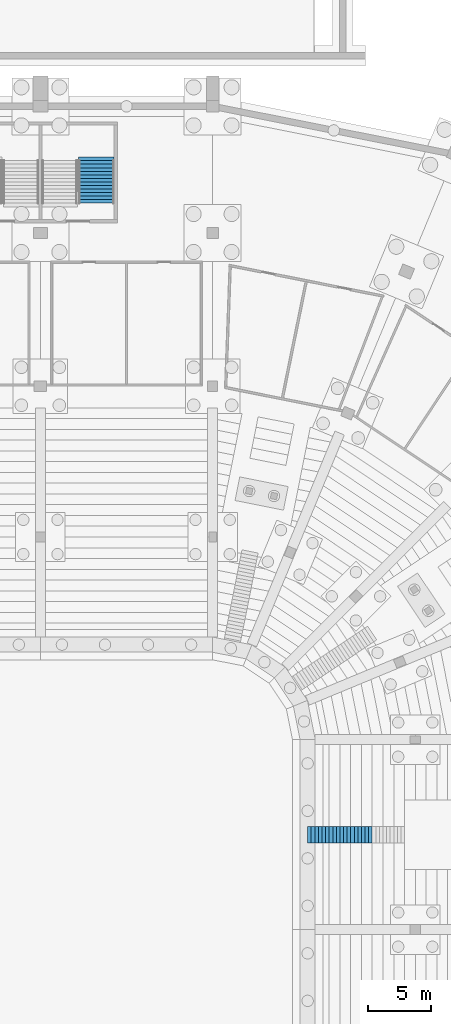
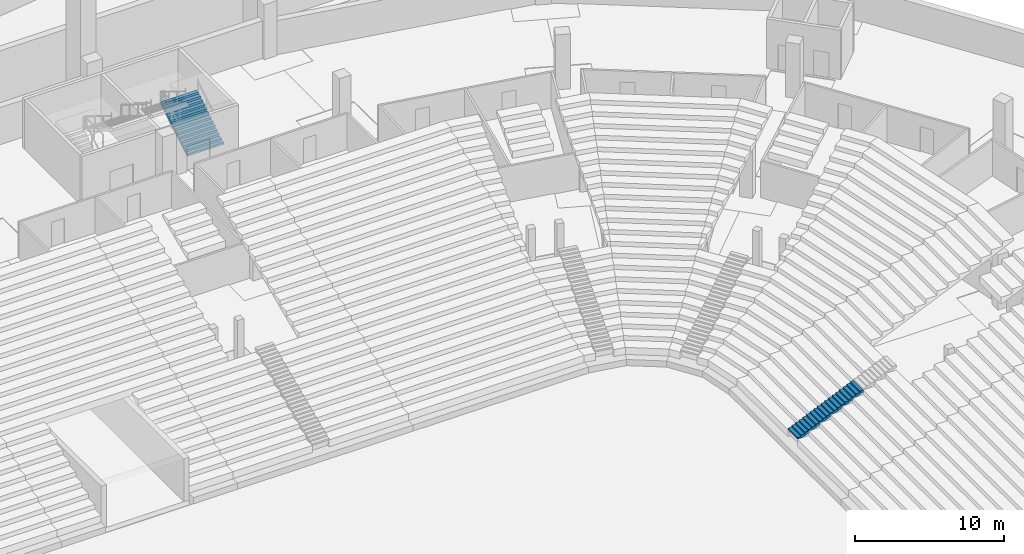
# One storey, part 105 of 115: 2 stair flights, 2 elements without a shape of their own.
"""IFC4 building model written with IfcOpenShell, lengths in metres."""

from ifc_helpers import new_model, si_unit, direction, frame, origin, place, context, subcontext, project, spatial, faceted_brep, material, type_object, element, aggregate, save


model = new_model("IFC4")

# Units and contexts
model_context = context("Model", 3, precision=1e-05, world=origin(), true_north=direction((0.0, 1.0)))
body_context = subcontext(model_context, "Body", "Model", "MODEL_VIEW")
ifc_project = project(units=[si_unit("LENGTHUNIT", "METRE"), si_unit("AREAUNIT", "SQUARE_METRE"), si_unit("VOLUMEUNIT", "CUBIC_METRE"), si_unit("PLANEANGLEUNIT", "RADIAN"), si_unit("MASSUNIT", "GRAM", prefix="KILO")], contexts=[model_context])

# Site, building, storey
site_placement = place(None, origin())
site = spatial("IfcSite", under=ifc_project, at=site_placement, CompositionType="ELEMENT")
building_placement = place(site_placement, origin())
building = spatial("IfcBuilding", under=site, at=building_placement, Name="Ogive Plaza Stadium", CompositionType="ELEMENT")
storey_placement = place(building_placement, frame((0.0, 0.0, -4.5)))
storey = spatial("IfcBuildingStorey", under=building, at=storey_placement, Name="B1", CompositionType="ELEMENT", Elevation=-4.5)

# Stair, stair flight
ifc_material_1 = material(Name="Concrete C40/50", Category="concrete")
stair_type_1 = type_object("IfcStairType", Name="Aisle stair", PredefinedType="STRAIGHT_RUN_STAIR", material=ifc_material_1)
stair_1_placement = place(storey_placement, origin())
stair_1 = element("IfcStair", 1, at=stair_1_placement, inside=storey, type_object=stair_type_1, Name="Aisle stair SA01D", PredefinedType="STRAIGHT_RUN_STAIR")
ifc_material_2 = material(Name="Concrete C40/50", Category="concrete")
stair_flight_type_1 = type_object("IfcStairFlightType", Name="Aisle stair flight", PredefinedType="STRAIGHT", material=ifc_material_2)
stair_flight_1_placement = place(storey_placement, frame((41.5, 45.0, 1.125), z_axis=(0.0, 0.0, 1.0), x_axis=(1.0, 0.0, 0.0)))
stair_flight_1 = element("IfcStairFlight", 2, at=stair_flight_1_placement, type_object=stair_flight_type_1, Name="SA01D flight 1", NumberOfRisers=18, NumberOfTreads=17, PredefinedType="STRAIGHT", RiserHeight=0.125, TreadLength=0.283333333, context=body_context, shape_type="Brep", body=[
    faceted_brep([(0.371337890625, -0.64990234375, 0.0), (5.10009765625, -0.64990234375, 2.086181640625), (5.10009765625, -0.64990234375, 2.25), (4.816650390625, -0.64990234375, 2.25), (4.816650390625, -0.64990234375, 2.125), (4.533447265625, -0.64990234375, 2.125), (4.533447265625, -0.64990234375, 2.0), (4.25, -0.64990234375, 2.0), (4.25, -0.64990234375, 1.875), (3.966552734375, -0.64990234375, 1.875), (3.966552734375, -0.64990234375, 1.75), (3.683349609375, -0.64990234375, 1.75), (3.683349609375, -0.64990234375, 1.625), (3.39990234375, -0.64990234375, 1.625), (3.39990234375, -0.64990234375, 1.5), (3.11669921875, -0.64990234375, 1.5), (3.11669921875, -0.64990234375, 1.375), (2.833251953125, -0.64990234375, 1.375), (2.833251953125, -0.64990234375, 1.25), (2.550048828125, -0.64990234375, 1.25), (2.550048828125, -0.64990234375, 1.125), (2.2666015625, -0.64990234375, 1.125), (2.2666015625, -0.64990234375, 1.0), (1.9833984375, -0.64990234375, 1.0), (1.9833984375, -0.64990234375, 0.875), (1.699951171875, -0.64990234375, 0.875), (1.699951171875, -0.64990234375, 0.75), (1.416748046875, -0.64990234375, 0.75), (1.416748046875, -0.64990234375, 0.625), (1.13330078125, -0.64990234375, 0.625), (1.13330078125, -0.64990234375, 0.5), (0.85009765625, -0.64990234375, 0.5), (0.85009765625, -0.64990234375, 0.375), (0.566650390625, -0.64990234375, 0.375), (0.566650390625, -0.64990234375, 0.25), (0.283447265625, -0.64990234375, 0.25), (0.283447265625, -0.64990234375, 0.125), (0.0, -0.64990234375, 0.125), (0.0, -0.64990234375, 0.0), (0.0, 0.64990234375, 0.0), (0.0, 0.64990234375, 0.125), (0.283447265625, 0.64990234375, 0.125), (0.283447265625, 0.64990234375, 0.25), (0.566650390625, 0.64990234375, 0.25), (0.566650390625, 0.64990234375, 0.375), (0.85009765625, 0.64990234375, 0.375), (0.85009765625, 0.64990234375, 0.5), (1.13330078125, 0.64990234375, 0.5), (1.13330078125, 0.64990234375, 0.625), (1.416748046875, 0.64990234375, 0.625), (1.416748046875, 0.64990234375, 0.75), (1.699951171875, 0.64990234375, 0.75), (1.699951171875, 0.64990234375, 0.875), (1.9833984375, 0.64990234375, 0.875), (1.9833984375, 0.64990234375, 1.0), (2.2666015625, 0.64990234375, 1.0), (2.2666015625, 0.64990234375, 1.125), (2.550048828125, 0.64990234375, 1.125), (2.550048828125, 0.64990234375, 1.25), (2.833251953125, 0.64990234375, 1.25), (2.833251953125, 0.64990234375, 1.375), (3.11669921875, 0.64990234375, 1.375), (3.11669921875, 0.64990234375, 1.5), (3.39990234375, 0.64990234375, 1.5), (3.39990234375, 0.64990234375, 1.625), (3.683349609375, 0.64990234375, 1.625), (3.683349609375, 0.64990234375, 1.75), (3.966552734375, 0.64990234375, 1.75), (3.966552734375, 0.64990234375, 1.875), (4.25, 0.64990234375, 1.875), (4.25, 0.64990234375, 2.0), (4.533447265625, 0.64990234375, 2.0), (4.533447265625, 0.64990234375, 2.125), (4.816650390625, 0.64990234375, 2.125), (4.816650390625, 0.64990234375, 2.25), (5.10009765625, 0.64990234375, 2.25), (5.10009765625, 0.64990234375, 2.086181640625), (0.371337890625, 0.64990234375, 0.0), (0.371337890625, -0.324951171875, 0.0), (5.10009765625, -0.324951171875, 2.086181640625), (0.371337890625, 0.0, 0.0), (5.10009765625, 0.0, 2.086181640625), (0.371337890625, 0.324951171875, 0.0), (5.10009765625, 0.324951171875, 2.086181640625), (5.10009765625, -0.324951171875, 2.25), (5.10009765625, 0.0, 2.25), (5.10009765625, 0.324951171875, 2.25), (4.816650390625, -0.324951171875, 2.25), (4.816650390625, 0.0, 2.25), (4.816650390625, 0.324951171875, 2.25), (4.816650390625, -0.324951171875, 2.125), (4.816650390625, 0.0, 2.125), (4.816650390625, 0.324951171875, 2.125), (4.533447265625, -0.324951171875, 2.125), (4.533447265625, 0.0, 2.125), (4.533447265625, 0.324951171875, 2.125), (4.533447265625, -0.324951171875, 2.0), (4.533447265625, 0.0, 2.0), (4.533447265625, 0.324951171875, 2.0), (4.25, -0.324951171875, 2.0), (4.25, 0.0, 2.0), (4.25, 0.324951171875, 2.0), (4.25, -0.324951171875, 1.875), (4.25, 0.0, 1.875), (4.25, 0.324951171875, 1.875), (3.966552734375, -0.324951171875, 1.875), (3.966552734375, 0.0, 1.875), (3.966552734375, 0.324951171875, 1.875), (3.966552734375, -0.324951171875, 1.75), (3.966552734375, 0.0, 1.75), (3.966552734375, 0.324951171875, 1.75), (3.683349609375, -0.324951171875, 1.75), (3.683349609375, 0.0, 1.75), (3.683349609375, 0.324951171875, 1.75), (3.683349609375, -0.324951171875, 1.625), (3.683349609375, 0.0, 1.625), (3.683349609375, 0.324951171875, 1.625), (3.39990234375, -0.324951171875, 1.625), (3.39990234375, 0.0, 1.625), (3.39990234375, 0.324951171875, 1.625), (3.39990234375, -0.324951171875, 1.5), (3.39990234375, 0.0, 1.5), (3.39990234375, 0.324951171875, 1.5), (3.11669921875, -0.324951171875, 1.5), (3.11669921875, 0.0, 1.5), (3.11669921875, 0.324951171875, 1.5), (3.11669921875, -0.324951171875, 1.375), (3.11669921875, 0.0, 1.375), (3.11669921875, 0.324951171875, 1.375), (2.833251953125, -0.324951171875, 1.375), (2.833251953125, 0.0, 1.375), (2.833251953125, 0.324951171875, 1.375), (2.833251953125, -0.324951171875, 1.25), (2.833251953125, 0.0, 1.25), (2.833251953125, 0.324951171875, 1.25), (2.550048828125, -0.324951171875, 1.25), (2.550048828125, 0.0, 1.25), (2.550048828125, 0.324951171875, 1.25), (2.550048828125, -0.324951171875, 1.125), (2.550048828125, 0.0, 1.125), (2.550048828125, 0.324951171875, 1.125), (2.2666015625, -0.324951171875, 1.125), (2.2666015625, 0.0, 1.125), (2.2666015625, 0.324951171875, 1.125), (2.2666015625, -0.324951171875, 1.0), (2.2666015625, 0.0, 1.0), (2.2666015625, 0.324951171875, 1.0), (1.9833984375, -0.324951171875, 1.0), (1.9833984375, 0.0, 1.0), (1.9833984375, 0.324951171875, 1.0), (1.9833984375, -0.324951171875, 0.875), (1.9833984375, 0.0, 0.875), (1.9833984375, 0.324951171875, 0.875), (1.699951171875, -0.324951171875, 0.875), (1.699951171875, 0.0, 0.875), (1.699951171875, 0.324951171875, 0.875), (1.699951171875, -0.324951171875, 0.75), (1.699951171875, 0.0, 0.75), (1.699951171875, 0.324951171875, 0.75), (1.416748046875, -0.324951171875, 0.75), (1.416748046875, 0.0, 0.75), (1.416748046875, 0.324951171875, 0.75), (1.416748046875, -0.324951171875, 0.625), (1.416748046875, 0.0, 0.625), (1.416748046875, 0.324951171875, 0.625), (1.13330078125, -0.324951171875, 0.625), (1.13330078125, 0.0, 0.625), (1.13330078125, 0.324951171875, 0.625), (1.13330078125, -0.324951171875, 0.5), (1.13330078125, 0.0, 0.5), (1.13330078125, 0.324951171875, 0.5), (0.85009765625, -0.324951171875, 0.5), (0.85009765625, 0.0, 0.5), (0.85009765625, 0.324951171875, 0.5), (0.85009765625, -0.324951171875, 0.375), (0.85009765625, 0.0, 0.375), (0.85009765625, 0.324951171875, 0.375), (0.566650390625, -0.324951171875, 0.375), (0.566650390625, 0.0, 0.375), (0.566650390625, 0.324951171875, 0.375), (0.566650390625, -0.324951171875, 0.25), (0.566650390625, 0.0, 0.25), (0.566650390625, 0.324951171875, 0.25), (0.283447265625, -0.324951171875, 0.25), (0.283447265625, 0.0, 0.25), (0.283447265625, 0.324951171875, 0.25), (0.283447265625, -0.324951171875, 0.125), (0.283447265625, 0.0, 0.125), (0.283447265625, 0.324951171875, 0.125), (0.0, -0.324951171875, 0.125), (0.0, 0.0, 0.125), (0.0, 0.324951171875, 0.125), (0.0, -0.324951171875, 0.0), (0.0, 0.0, 0.0), (0.0, 0.324951171875, 0.0)], [[[0, 1, 2, 3, 4, 5, 6, 7, 8, 9, 10, 11, 12, 13, 14, 15, 16, 17, 18, 19, 20, 21, 22, 23, 24, 25, 26, 27, 28, 29, 30, 31, 32, 33, 34, 35, 36, 37, 38]], [[39, 40, 41, 42, 43, 44, 45, 46, 47, 48, 49, 50, 51, 52, 53, 54, 55, 56, 57, 58, 59, 60, 61, 62, 63, 64, 65, 66, 67, 68, 69, 70, 71, 72, 73, 74, 75, 76, 77]], [[0, 78, 79, 1]], [[78, 80, 81, 79]], [[80, 82, 83, 81]], [[82, 77, 76, 83]], [[1, 79, 84, 2]], [[79, 81, 85, 84]], [[81, 83, 86, 85]], [[83, 76, 75, 86]], [[2, 84, 87, 3]], [[84, 85, 88, 87]], [[85, 86, 89, 88]], [[86, 75, 74, 89]], [[3, 87, 90, 4]], [[87, 88, 91, 90]], [[88, 89, 92, 91]], [[89, 74, 73, 92]], [[4, 90, 93, 5]], [[90, 91, 94, 93]], [[91, 92, 95, 94]], [[92, 73, 72, 95]], [[5, 93, 96, 6]], [[93, 94, 97, 96]], [[94, 95, 98, 97]], [[95, 72, 71, 98]], [[6, 96, 99, 7]], [[96, 97, 100, 99]], [[97, 98, 101, 100]], [[98, 71, 70, 101]], [[7, 99, 102, 8]], [[99, 100, 103, 102]], [[100, 101, 104, 103]], [[101, 70, 69, 104]], [[8, 102, 105, 9]], [[102, 103, 106, 105]], [[103, 104, 107, 106]], [[104, 69, 68, 107]], [[9, 105, 108, 10]], [[105, 106, 109, 108]], [[106, 107, 110, 109]], [[107, 68, 67, 110]], [[10, 108, 111, 11]], [[108, 109, 112, 111]], [[109, 110, 113, 112]], [[110, 67, 66, 113]], [[11, 111, 114, 12]], [[111, 112, 115, 114]], [[112, 113, 116, 115]], [[113, 66, 65, 116]], [[12, 114, 117, 13]], [[114, 115, 118, 117]], [[115, 116, 119, 118]], [[116, 65, 64, 119]], [[13, 117, 120, 14]], [[117, 118, 121, 120]], [[118, 119, 122, 121]], [[119, 64, 63, 122]], [[14, 120, 123, 15]], [[120, 121, 124, 123]], [[121, 122, 125, 124]], [[122, 63, 62, 125]], [[15, 123, 126, 16]], [[123, 124, 127, 126]], [[124, 125, 128, 127]], [[125, 62, 61, 128]], [[16, 126, 129, 17]], [[126, 127, 130, 129]], [[127, 128, 131, 130]], [[128, 61, 60, 131]], [[17, 129, 132, 18]], [[129, 130, 133, 132]], [[130, 131, 134, 133]], [[131, 60, 59, 134]], [[18, 132, 135, 19]], [[132, 133, 136, 135]], [[133, 134, 137, 136]], [[134, 59, 58, 137]], [[19, 135, 138, 20]], [[135, 136, 139, 138]], [[136, 137, 140, 139]], [[137, 58, 57, 140]], [[20, 138, 141, 21]], [[138, 139, 142, 141]], [[139, 140, 143, 142]], [[140, 57, 56, 143]], [[21, 141, 144, 22]], [[141, 142, 145, 144]], [[142, 143, 146, 145]], [[143, 56, 55, 146]], [[22, 144, 147, 23]], [[144, 145, 148, 147]], [[145, 146, 149, 148]], [[146, 55, 54, 149]], [[23, 147, 150, 24]], [[147, 148, 151, 150]], [[148, 149, 152, 151]], [[149, 54, 53, 152]], [[24, 150, 153, 25]], [[150, 151, 154, 153]], [[151, 152, 155, 154]], [[152, 53, 52, 155]], [[25, 153, 156, 26]], [[153, 154, 157, 156]], [[154, 155, 158, 157]], [[155, 52, 51, 158]], [[26, 156, 159, 27]], [[156, 157, 160, 159]], [[157, 158, 161, 160]], [[158, 51, 50, 161]], [[27, 159, 162, 28]], [[159, 160, 163, 162]], [[160, 161, 164, 163]], [[161, 50, 49, 164]], [[28, 162, 165, 29]], [[162, 163, 166, 165]], [[163, 164, 167, 166]], [[164, 49, 48, 167]], [[29, 165, 168, 30]], [[165, 166, 169, 168]], [[166, 167, 170, 169]], [[167, 48, 47, 170]], [[30, 168, 171, 31]], [[168, 169, 172, 171]], [[169, 170, 173, 172]], [[170, 47, 46, 173]], [[31, 171, 174, 32]], [[171, 172, 175, 174]], [[172, 173, 176, 175]], [[173, 46, 45, 176]], [[32, 174, 177, 33]], [[174, 175, 178, 177]], [[175, 176, 179, 178]], [[176, 45, 44, 179]], [[33, 177, 180, 34]], [[177, 178, 181, 180]], [[178, 179, 182, 181]], [[179, 44, 43, 182]], [[34, 180, 183, 35]], [[180, 181, 184, 183]], [[181, 182, 185, 184]], [[182, 43, 42, 185]], [[35, 183, 186, 36]], [[183, 184, 187, 186]], [[184, 185, 188, 187]], [[185, 42, 41, 188]], [[36, 186, 189, 37]], [[186, 187, 190, 189]], [[187, 188, 191, 190]], [[188, 41, 40, 191]], [[37, 189, 192, 38]], [[189, 190, 193, 192]], [[190, 191, 194, 193]], [[191, 40, 39, 194]], [[38, 192, 78, 0]], [[192, 193, 80, 78]], [[193, 194, 82, 80]], [[194, 39, 77, 82]]]),
])
aggregate(stair_1, [stair_flight_1])

ifc_material_3 = material(Name="Concrete C40/50", Category="concrete")
stair_type_2 = type_object("IfcStairType", Name="Exit stair", PredefinedType="STRAIGHT_RUN_STAIR", material=ifc_material_3)
stair_2_placement = place(storey_placement, origin())
stair_2 = element("IfcStair", 3, at=stair_2_placement, inside=storey, type_object=stair_type_2, Name="Exit stair ST36A B1 to L00", PredefinedType="STRAIGHT_RUN_STAIR")
ifc_material_4 = material(Name="Concrete C40/50", Category="concrete")
stair_flight_type_2 = type_object("IfcStairFlightType", Name="Exit stair flight", PredefinedType="STRAIGHT", material=ifc_material_4)
stair_flight_2_placement = place(storey_placement, frame((24.824951171875, 94.85009765625, 0.0), z_axis=(0.0, 0.0, 1.0), x_axis=(0.0, 1.0, 0.0)))
stair_flight_2 = element("IfcStairFlight", 4, at=stair_flight_2_placement, type_object=stair_flight_type_2, Name="ST36A flight 1", NumberOfRisers=13, NumberOfTreads=12, PredefinedType="STRAIGHT", RiserHeight=0.173076923, TreadLength=0.28, context=body_context, shape_type="Brep", body=[
    faceted_brep([(0.28515625, -1.39990234375, 0.0), (3.639892578125, -1.39990234375, 2.07373046875), (3.639892578125, -1.39990234375, 2.25), (3.360107421875, -1.39990234375, 2.25), (3.360107421875, -1.39990234375, 2.076904296875), (3.080078125, -1.39990234375, 2.076904296875), (3.080078125, -1.39990234375, 1.90380859375), (2.800048828125, -1.39990234375, 1.90380859375), (2.800048828125, -1.39990234375, 1.730712890625), (2.52001953125, -1.39990234375, 1.730712890625), (2.52001953125, -1.39990234375, 1.5576171875), (2.239990234375, -1.39990234375, 1.5576171875), (2.239990234375, -1.39990234375, 1.384521484375), (1.9599609375, -1.39990234375, 1.384521484375), (1.9599609375, -1.39990234375, 1.21142578125), (1.679931640625, -1.39990234375, 1.21142578125), (1.679931640625, -1.39990234375, 1.03857421875), (1.39990234375, -1.39990234375, 1.03857421875), (1.39990234375, -1.39990234375, 0.865478515625), (1.1201171875, -1.39990234375, 0.865478515625), (1.1201171875, -1.39990234375, 0.6923828125), (0.840087890625, -1.39990234375, 0.6923828125), (0.840087890625, -1.39990234375, 0.519287109375), (0.56005859375, -1.39990234375, 0.519287109375), (0.56005859375, -1.39990234375, 0.34619140625), (0.280029296875, -1.39990234375, 0.34619140625), (0.280029296875, -1.39990234375, 0.173095703125), (0.0, -1.39990234375, 0.173095703125), (0.0, -1.39990234375, 0.0), (0.0, 1.39990234375, 0.0), (0.0, 1.39990234375, 0.173095703125), (0.280029296875, 1.39990234375, 0.173095703125), (0.280029296875, 1.39990234375, 0.34619140625), (0.56005859375, 1.39990234375, 0.34619140625), (0.56005859375, 1.39990234375, 0.519287109375), (0.840087890625, 1.39990234375, 0.519287109375), (0.840087890625, 1.39990234375, 0.6923828125), (1.1201171875, 1.39990234375, 0.6923828125), (1.1201171875, 1.39990234375, 0.865478515625), (1.39990234375, 1.39990234375, 0.865478515625), (1.39990234375, 1.39990234375, 1.03857421875), (1.679931640625, 1.39990234375, 1.03857421875), (1.679931640625, 1.39990234375, 1.21142578125), (1.9599609375, 1.39990234375, 1.21142578125), (1.9599609375, 1.39990234375, 1.384521484375), (2.239990234375, 1.39990234375, 1.384521484375), (2.239990234375, 1.39990234375, 1.5576171875), (2.52001953125, 1.39990234375, 1.5576171875), (2.52001953125, 1.39990234375, 1.730712890625), (2.800048828125, 1.39990234375, 1.730712890625), (2.800048828125, 1.39990234375, 1.90380859375), (3.080078125, 1.39990234375, 1.90380859375), (3.080078125, 1.39990234375, 2.076904296875), (3.360107421875, 1.39990234375, 2.076904296875), (3.360107421875, 1.39990234375, 2.25), (3.639892578125, 1.39990234375, 2.25), (3.639892578125, 1.39990234375, 2.07373046875), (0.28515625, 1.39990234375, 0.0), (0.28515625, -1.0888671875, 0.0), (3.639892578125, -1.0888671875, 2.07373046875), (0.28515625, -0.77783203125, 0.0), (3.639892578125, -0.77783203125, 2.07373046875), (0.28515625, -0.466796875, 0.0), (3.639892578125, -0.466796875, 2.07373046875), (0.28515625, -0.155517578125, 0.0), (3.639892578125, -0.155517578125, 2.07373046875), (0.28515625, 0.155517578125, 0.0), (3.639892578125, 0.155517578125, 2.07373046875), (0.28515625, 0.466796875, 0.0), (3.639892578125, 0.466796875, 2.07373046875), (0.28515625, 0.77783203125, 0.0), (3.639892578125, 0.77783203125, 2.07373046875), (0.28515625, 1.0888671875, 0.0), (3.639892578125, 1.0888671875, 2.07373046875), (3.639892578125, -1.0888671875, 2.25), (3.639892578125, -0.77783203125, 2.25), (3.639892578125, -0.466796875, 2.25), (3.639892578125, -0.155517578125, 2.25), (3.639892578125, 0.155517578125, 2.25), (3.639892578125, 0.466796875, 2.25), (3.639892578125, 0.77783203125, 2.25), (3.639892578125, 1.0888671875, 2.25), (3.360107421875, -1.0888671875, 2.25), (3.360107421875, -0.77783203125, 2.25), (3.360107421875, -0.466796875, 2.25), (3.360107421875, -0.155517578125, 2.25), (3.360107421875, 0.155517578125, 2.25), (3.360107421875, 0.466796875, 2.25), (3.360107421875, 0.77783203125, 2.25), (3.360107421875, 1.0888671875, 2.25), (3.360107421875, -1.0888671875, 2.076904296875), (3.360107421875, -0.77783203125, 2.076904296875), (3.360107421875, -0.466796875, 2.076904296875), (3.360107421875, -0.155517578125, 2.076904296875), (3.360107421875, 0.155517578125, 2.076904296875), (3.360107421875, 0.466796875, 2.076904296875), (3.360107421875, 0.77783203125, 2.076904296875), (3.360107421875, 1.0888671875, 2.076904296875), (3.080078125, -1.0888671875, 2.076904296875), (3.080078125, -0.77783203125, 2.076904296875), (3.080078125, -0.466796875, 2.076904296875), (3.080078125, -0.155517578125, 2.076904296875), (3.080078125, 0.155517578125, 2.076904296875), (3.080078125, 0.466796875, 2.076904296875), (3.080078125, 0.77783203125, 2.076904296875), (3.080078125, 1.0888671875, 2.076904296875), (3.080078125, -1.0888671875, 1.90380859375), (3.080078125, -0.77783203125, 1.90380859375), (3.080078125, -0.466796875, 1.90380859375), (3.080078125, -0.155517578125, 1.90380859375), (3.080078125, 0.155517578125, 1.90380859375), (3.080078125, 0.466796875, 1.90380859375), (3.080078125, 0.77783203125, 1.90380859375), (3.080078125, 1.0888671875, 1.90380859375), (2.800048828125, -1.0888671875, 1.90380859375), (2.800048828125, -0.77783203125, 1.90380859375), (2.800048828125, -0.466796875, 1.90380859375), (2.800048828125, -0.155517578125, 1.90380859375), (2.800048828125, 0.155517578125, 1.90380859375), (2.800048828125, 0.466796875, 1.90380859375), (2.800048828125, 0.77783203125, 1.90380859375), (2.800048828125, 1.0888671875, 1.90380859375), (2.800048828125, -1.0888671875, 1.730712890625), (2.800048828125, -0.77783203125, 1.730712890625), (2.800048828125, -0.466796875, 1.730712890625), (2.800048828125, -0.155517578125, 1.730712890625), (2.800048828125, 0.155517578125, 1.730712890625), (2.800048828125, 0.466796875, 1.730712890625), (2.800048828125, 0.77783203125, 1.730712890625), (2.800048828125, 1.0888671875, 1.730712890625), (2.52001953125, -1.0888671875, 1.730712890625), (2.52001953125, -0.77783203125, 1.730712890625), (2.52001953125, -0.466796875, 1.730712890625), (2.52001953125, -0.155517578125, 1.730712890625), (2.52001953125, 0.155517578125, 1.730712890625), (2.52001953125, 0.466796875, 1.730712890625), (2.52001953125, 0.77783203125, 1.730712890625), (2.52001953125, 1.0888671875, 1.730712890625), (2.52001953125, -1.0888671875, 1.5576171875), (2.52001953125, -0.77783203125, 1.5576171875), (2.52001953125, -0.466796875, 1.5576171875), (2.52001953125, -0.155517578125, 1.5576171875), (2.52001953125, 0.155517578125, 1.5576171875), (2.52001953125, 0.466796875, 1.5576171875), (2.52001953125, 0.77783203125, 1.5576171875), (2.52001953125, 1.0888671875, 1.5576171875), (2.239990234375, -1.0888671875, 1.5576171875), (2.239990234375, -0.77783203125, 1.5576171875), (2.239990234375, -0.466796875, 1.5576171875), (2.239990234375, -0.155517578125, 1.5576171875), (2.239990234375, 0.155517578125, 1.5576171875), (2.239990234375, 0.466796875, 1.5576171875), (2.239990234375, 0.77783203125, 1.5576171875), (2.239990234375, 1.0888671875, 1.5576171875), (2.239990234375, -1.0888671875, 1.384521484375), (2.239990234375, -0.77783203125, 1.384521484375), (2.239990234375, -0.466796875, 1.384521484375), (2.239990234375, -0.155517578125, 1.384521484375), (2.239990234375, 0.155517578125, 1.384521484375), (2.239990234375, 0.466796875, 1.384521484375), (2.239990234375, 0.77783203125, 1.384521484375), (2.239990234375, 1.0888671875, 1.384521484375), (1.9599609375, -1.0888671875, 1.384521484375), (1.9599609375, -0.77783203125, 1.384521484375), (1.9599609375, -0.466796875, 1.384521484375), (1.9599609375, -0.155517578125, 1.384521484375), (1.9599609375, 0.155517578125, 1.384521484375), (1.9599609375, 0.466796875, 1.384521484375), (1.9599609375, 0.77783203125, 1.384521484375), (1.9599609375, 1.0888671875, 1.384521484375), (1.9599609375, -1.0888671875, 1.21142578125), (1.9599609375, -0.77783203125, 1.21142578125), (1.9599609375, -0.466796875, 1.21142578125), (1.9599609375, -0.155517578125, 1.21142578125), (1.9599609375, 0.155517578125, 1.21142578125), (1.9599609375, 0.466796875, 1.21142578125), (1.9599609375, 0.77783203125, 1.21142578125), (1.9599609375, 1.0888671875, 1.21142578125), (1.679931640625, -1.0888671875, 1.21142578125), (1.679931640625, -0.77783203125, 1.21142578125), (1.679931640625, -0.466796875, 1.21142578125), (1.679931640625, -0.155517578125, 1.21142578125), (1.679931640625, 0.155517578125, 1.21142578125), (1.679931640625, 0.466796875, 1.21142578125), (1.679931640625, 0.77783203125, 1.21142578125), (1.679931640625, 1.0888671875, 1.21142578125), (1.679931640625, -1.0888671875, 1.03857421875), (1.679931640625, -0.77783203125, 1.03857421875), (1.679931640625, -0.466796875, 1.03857421875), (1.679931640625, -0.155517578125, 1.03857421875), (1.679931640625, 0.155517578125, 1.03857421875), (1.679931640625, 0.466796875, 1.03857421875), (1.679931640625, 0.77783203125, 1.03857421875), (1.679931640625, 1.0888671875, 1.03857421875), (1.39990234375, -1.0888671875, 1.03857421875), (1.39990234375, -0.77783203125, 1.03857421875), (1.39990234375, -0.466796875, 1.03857421875), (1.39990234375, -0.155517578125, 1.03857421875), (1.39990234375, 0.155517578125, 1.03857421875), (1.39990234375, 0.466796875, 1.03857421875), (1.39990234375, 0.77783203125, 1.03857421875), (1.39990234375, 1.0888671875, 1.03857421875), (1.39990234375, -1.0888671875, 0.865478515625), (1.39990234375, -0.77783203125, 0.865478515625), (1.39990234375, -0.466796875, 0.865478515625), (1.39990234375, -0.155517578125, 0.865478515625), (1.39990234375, 0.155517578125, 0.865478515625), (1.39990234375, 0.466796875, 0.865478515625), (1.39990234375, 0.77783203125, 0.865478515625), (1.39990234375, 1.0888671875, 0.865478515625), (1.1201171875, -1.0888671875, 0.865478515625), (1.1201171875, -0.77783203125, 0.865478515625), (1.1201171875, -0.466796875, 0.865478515625), (1.1201171875, -0.155517578125, 0.865478515625), (1.1201171875, 0.155517578125, 0.865478515625), (1.1201171875, 0.466796875, 0.865478515625), (1.1201171875, 0.77783203125, 0.865478515625), (1.1201171875, 1.0888671875, 0.865478515625), (1.1201171875, -1.0888671875, 0.6923828125), (1.1201171875, -0.77783203125, 0.6923828125), (1.1201171875, -0.466796875, 0.6923828125), (1.1201171875, -0.155517578125, 0.6923828125), (1.1201171875, 0.155517578125, 0.6923828125), (1.1201171875, 0.466796875, 0.6923828125), (1.1201171875, 0.77783203125, 0.6923828125), (1.1201171875, 1.0888671875, 0.6923828125), (0.840087890625, -1.0888671875, 0.6923828125), (0.840087890625, -0.77783203125, 0.6923828125), (0.840087890625, -0.466796875, 0.6923828125), (0.840087890625, -0.155517578125, 0.6923828125), (0.840087890625, 0.155517578125, 0.6923828125), (0.840087890625, 0.466796875, 0.6923828125), (0.840087890625, 0.77783203125, 0.6923828125), (0.840087890625, 1.0888671875, 0.6923828125), (0.840087890625, -1.0888671875, 0.519287109375), (0.840087890625, -0.77783203125, 0.519287109375), (0.840087890625, -0.466796875, 0.519287109375), (0.840087890625, -0.155517578125, 0.519287109375), (0.840087890625, 0.155517578125, 0.519287109375), (0.840087890625, 0.466796875, 0.519287109375), (0.840087890625, 0.77783203125, 0.519287109375), (0.840087890625, 1.0888671875, 0.519287109375), (0.56005859375, -1.0888671875, 0.519287109375), (0.56005859375, -0.77783203125, 0.519287109375), (0.56005859375, -0.466796875, 0.519287109375), (0.56005859375, -0.155517578125, 0.519287109375), (0.56005859375, 0.155517578125, 0.519287109375), (0.56005859375, 0.466796875, 0.519287109375), (0.56005859375, 0.77783203125, 0.519287109375), (0.56005859375, 1.0888671875, 0.519287109375), (0.56005859375, -1.0888671875, 0.34619140625), (0.56005859375, -0.77783203125, 0.34619140625), (0.56005859375, -0.466796875, 0.34619140625), (0.56005859375, -0.155517578125, 0.34619140625), (0.56005859375, 0.155517578125, 0.34619140625), (0.56005859375, 0.466796875, 0.34619140625), (0.56005859375, 0.77783203125, 0.34619140625), (0.56005859375, 1.0888671875, 0.34619140625), (0.280029296875, -1.0888671875, 0.34619140625), (0.280029296875, -0.77783203125, 0.34619140625), (0.280029296875, -0.466796875, 0.34619140625), (0.280029296875, -0.155517578125, 0.34619140625), (0.280029296875, 0.155517578125, 0.34619140625), (0.280029296875, 0.466796875, 0.34619140625), (0.280029296875, 0.77783203125, 0.34619140625), (0.280029296875, 1.0888671875, 0.34619140625), (0.280029296875, -1.0888671875, 0.173095703125), (0.280029296875, -0.77783203125, 0.173095703125), (0.280029296875, -0.466796875, 0.173095703125), (0.280029296875, -0.155517578125, 0.173095703125), (0.280029296875, 0.155517578125, 0.173095703125), (0.280029296875, 0.466796875, 0.173095703125), (0.280029296875, 0.77783203125, 0.173095703125), (0.280029296875, 1.0888671875, 0.173095703125), (0.0, -1.0888671875, 0.173095703125), (0.0, -0.77783203125, 0.173095703125), (0.0, -0.466796875, 0.173095703125), (0.0, -0.155517578125, 0.173095703125), (0.0, 0.155517578125, 0.173095703125), (0.0, 0.466796875, 0.173095703125), (0.0, 0.77783203125, 0.173095703125), (0.0, 1.0888671875, 0.173095703125), (0.0, -1.0888671875, 0.0), (0.0, -0.77783203125, 0.0), (0.0, -0.466796875, 0.0), (0.0, -0.155517578125, 0.0), (0.0, 0.155517578125, 0.0), (0.0, 0.466796875, 0.0), (0.0, 0.77783203125, 0.0), (0.0, 1.0888671875, 0.0)], [[[0, 1, 2, 3, 4, 5, 6, 7, 8, 9, 10, 11, 12, 13, 14, 15, 16, 17, 18, 19, 20, 21, 22, 23, 24, 25, 26, 27, 28]], [[29, 30, 31, 32, 33, 34, 35, 36, 37, 38, 39, 40, 41, 42, 43, 44, 45, 46, 47, 48, 49, 50, 51, 52, 53, 54, 55, 56, 57]], [[0, 58, 59, 1]], [[58, 60, 61, 59]], [[60, 62, 63, 61]], [[62, 64, 65, 63]], [[64, 66, 67, 65]], [[66, 68, 69, 67]], [[68, 70, 71, 69]], [[70, 72, 73, 71]], [[72, 57, 56, 73]], [[1, 59, 74, 2]], [[59, 61, 75, 74]], [[61, 63, 76, 75]], [[63, 65, 77, 76]], [[65, 67, 78, 77]], [[67, 69, 79, 78]], [[69, 71, 80, 79]], [[71, 73, 81, 80]], [[73, 56, 55, 81]], [[2, 74, 82, 3]], [[74, 75, 83, 82]], [[75, 76, 84, 83]], [[76, 77, 85, 84]], [[77, 78, 86, 85]], [[78, 79, 87, 86]], [[79, 80, 88, 87]], [[80, 81, 89, 88]], [[81, 55, 54, 89]], [[3, 82, 90, 4]], [[82, 83, 91, 90]], [[83, 84, 92, 91]], [[84, 85, 93, 92]], [[85, 86, 94, 93]], [[86, 87, 95, 94]], [[87, 88, 96, 95]], [[88, 89, 97, 96]], [[89, 54, 53, 97]], [[4, 90, 98, 5]], [[90, 91, 99, 98]], [[91, 92, 100, 99]], [[92, 93, 101, 100]], [[93, 94, 102, 101]], [[94, 95, 103, 102]], [[95, 96, 104, 103]], [[96, 97, 105, 104]], [[97, 53, 52, 105]], [[5, 98, 106, 6]], [[98, 99, 107, 106]], [[99, 100, 108, 107]], [[100, 101, 109, 108]], [[101, 102, 110, 109]], [[102, 103, 111, 110]], [[103, 104, 112, 111]], [[104, 105, 113, 112]], [[105, 52, 51, 113]], [[6, 106, 114, 7]], [[106, 107, 115, 114]], [[107, 108, 116, 115]], [[108, 109, 117, 116]], [[109, 110, 118, 117]], [[110, 111, 119, 118]], [[111, 112, 120, 119]], [[112, 113, 121, 120]], [[113, 51, 50, 121]], [[7, 114, 122, 8]], [[114, 115, 123, 122]], [[115, 116, 124, 123]], [[116, 117, 125, 124]], [[117, 118, 126, 125]], [[118, 119, 127, 126]], [[119, 120, 128, 127]], [[120, 121, 129, 128]], [[121, 50, 49, 129]], [[8, 122, 130, 9]], [[122, 123, 131, 130]], [[123, 124, 132, 131]], [[124, 125, 133, 132]], [[125, 126, 134, 133]], [[126, 127, 135, 134]], [[127, 128, 136, 135]], [[128, 129, 137, 136]], [[129, 49, 48, 137]], [[9, 130, 138, 10]], [[130, 131, 139, 138]], [[131, 132, 140, 139]], [[132, 133, 141, 140]], [[133, 134, 142, 141]], [[134, 135, 143, 142]], [[135, 136, 144, 143]], [[136, 137, 145, 144]], [[137, 48, 47, 145]], [[10, 138, 146, 11]], [[138, 139, 147, 146]], [[139, 140, 148, 147]], [[140, 141, 149, 148]], [[141, 142, 150, 149]], [[142, 143, 151, 150]], [[143, 144, 152, 151]], [[144, 145, 153, 152]], [[145, 47, 46, 153]], [[11, 146, 154, 12]], [[146, 147, 155, 154]], [[147, 148, 156, 155]], [[148, 149, 157, 156]], [[149, 150, 158, 157]], [[150, 151, 159, 158]], [[151, 152, 160, 159]], [[152, 153, 161, 160]], [[153, 46, 45, 161]], [[12, 154, 162, 13]], [[154, 155, 163, 162]], [[155, 156, 164, 163]], [[156, 157, 165, 164]], [[157, 158, 166, 165]], [[158, 159, 167, 166]], [[159, 160, 168, 167]], [[160, 161, 169, 168]], [[161, 45, 44, 169]], [[13, 162, 170, 14]], [[162, 163, 171, 170]], [[163, 164, 172, 171]], [[164, 165, 173, 172]], [[165, 166, 174, 173]], [[166, 167, 175, 174]], [[167, 168, 176, 175]], [[168, 169, 177, 176]], [[169, 44, 43, 177]], [[14, 170, 178, 15]], [[170, 171, 179, 178]], [[171, 172, 180, 179]], [[172, 173, 181, 180]], [[173, 174, 182, 181]], [[174, 175, 183, 182]], [[175, 176, 184, 183]], [[176, 177, 185, 184]], [[177, 43, 42, 185]], [[15, 178, 186, 16]], [[178, 179, 187, 186]], [[179, 180, 188, 187]], [[180, 181, 189, 188]], [[181, 182, 190, 189]], [[182, 183, 191, 190]], [[183, 184, 192, 191]], [[184, 185, 193, 192]], [[185, 42, 41, 193]], [[16, 186, 194, 17]], [[186, 187, 195, 194]], [[187, 188, 196, 195]], [[188, 189, 197, 196]], [[189, 190, 198, 197]], [[190, 191, 199, 198]], [[191, 192, 200, 199]], [[192, 193, 201, 200]], [[193, 41, 40, 201]], [[17, 194, 202, 18]], [[194, 195, 203, 202]], [[195, 196, 204, 203]], [[196, 197, 205, 204]], [[197, 198, 206, 205]], [[198, 199, 207, 206]], [[199, 200, 208, 207]], [[200, 201, 209, 208]], [[201, 40, 39, 209]], [[18, 202, 210, 19]], [[202, 203, 211, 210]], [[203, 204, 212, 211]], [[204, 205, 213, 212]], [[205, 206, 214, 213]], [[206, 207, 215, 214]], [[207, 208, 216, 215]], [[208, 209, 217, 216]], [[209, 39, 38, 217]], [[19, 210, 218, 20]], [[210, 211, 219, 218]], [[211, 212, 220, 219]], [[212, 213, 221, 220]], [[213, 214, 222, 221]], [[214, 215, 223, 222]], [[215, 216, 224, 223]], [[216, 217, 225, 224]], [[217, 38, 37, 225]], [[20, 218, 226, 21]], [[218, 219, 227, 226]], [[219, 220, 228, 227]], [[220, 221, 229, 228]], [[221, 222, 230, 229]], [[222, 223, 231, 230]], [[223, 224, 232, 231]], [[224, 225, 233, 232]], [[225, 37, 36, 233]], [[21, 226, 234, 22]], [[226, 227, 235, 234]], [[227, 228, 236, 235]], [[228, 229, 237, 236]], [[229, 230, 238, 237]], [[230, 231, 239, 238]], [[231, 232, 240, 239]], [[232, 233, 241, 240]], [[233, 36, 35, 241]], [[22, 234, 242, 23]], [[234, 235, 243, 242]], [[235, 236, 244, 243]], [[236, 237, 245, 244]], [[237, 238, 246, 245]], [[238, 239, 247, 246]], [[239, 240, 248, 247]], [[240, 241, 249, 248]], [[241, 35, 34, 249]], [[23, 242, 250, 24]], [[242, 243, 251, 250]], [[243, 244, 252, 251]], [[244, 245, 253, 252]], [[245, 246, 254, 253]], [[246, 247, 255, 254]], [[247, 248, 256, 255]], [[248, 249, 257, 256]], [[249, 34, 33, 257]], [[24, 250, 258, 25]], [[250, 251, 259, 258]], [[251, 252, 260, 259]], [[252, 253, 261, 260]], [[253, 254, 262, 261]], [[254, 255, 263, 262]], [[255, 256, 264, 263]], [[256, 257, 265, 264]], [[257, 33, 32, 265]], [[25, 258, 266, 26]], [[258, 259, 267, 266]], [[259, 260, 268, 267]], [[260, 261, 269, 268]], [[261, 262, 270, 269]], [[262, 263, 271, 270]], [[263, 264, 272, 271]], [[264, 265, 273, 272]], [[265, 32, 31, 273]], [[26, 266, 274, 27]], [[266, 267, 275, 274]], [[267, 268, 276, 275]], [[268, 269, 277, 276]], [[269, 270, 278, 277]], [[270, 271, 279, 278]], [[271, 272, 280, 279]], [[272, 273, 281, 280]], [[273, 31, 30, 281]], [[27, 274, 282, 28]], [[274, 275, 283, 282]], [[275, 276, 284, 283]], [[276, 277, 285, 284]], [[277, 278, 286, 285]], [[278, 279, 287, 286]], [[279, 280, 288, 287]], [[280, 281, 289, 288]], [[281, 30, 29, 289]], [[28, 282, 58, 0]], [[282, 283, 60, 58]], [[283, 284, 62, 60]], [[284, 285, 64, 62]], [[285, 286, 66, 64]], [[286, 287, 68, 66]], [[287, 288, 70, 68]], [[288, 289, 72, 70]], [[289, 29, 57, 72]]]),
])
aggregate(stair_2, [stair_flight_2])

save(model, "model.ifc")
